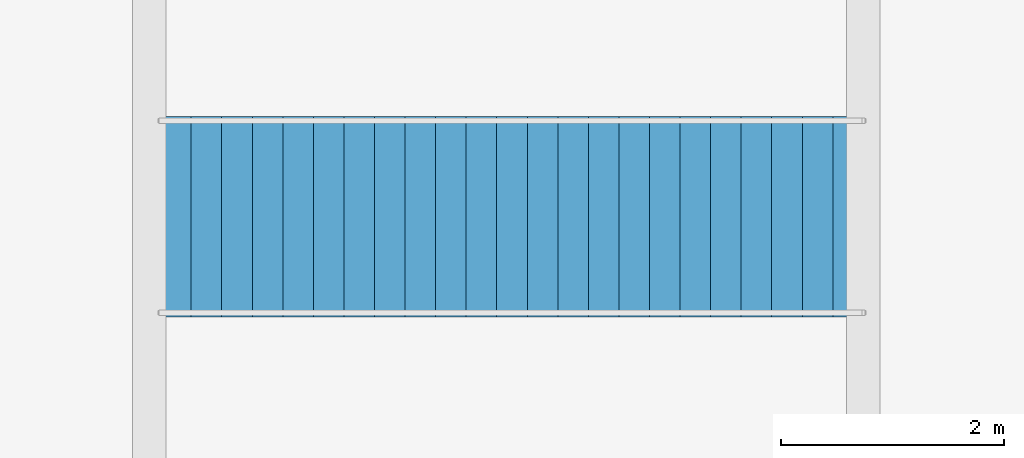
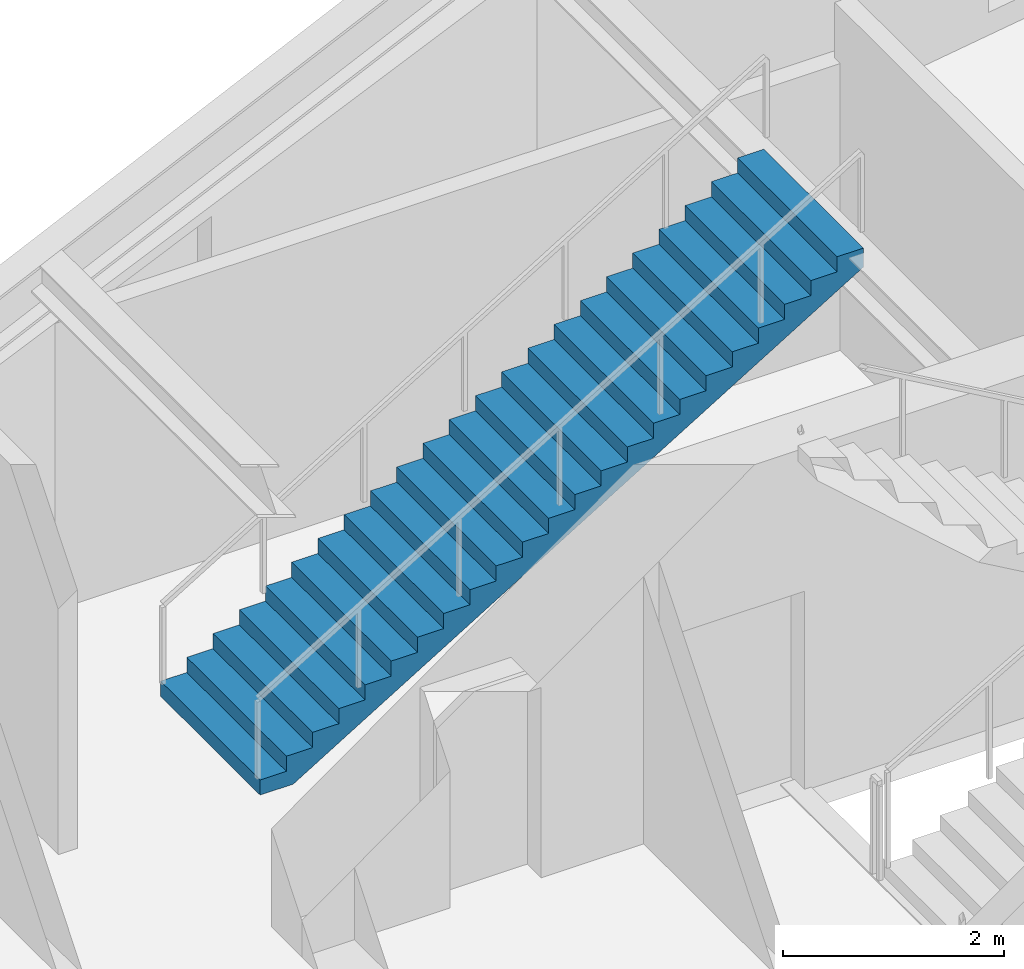
# One storey, part 12 of 14: 1 stair flight, 1 element without a shape of its own.
"""IFC4 building model written with IfcOpenShell, lengths in metres."""

from ifc_helpers import new_model, si_unit, direction, frame, origin, place, context, subcontext, project, spatial, polyline, outline, extrude, material, type_object, element, aggregate, save


model = new_model("IFC4")

# Units and contexts
model_context = context("Model", 3, precision=1e-05, world=origin(), true_north=direction((0.0, 1.0)))
body_context = subcontext(model_context, "Body", "Model", "MODEL_VIEW")
ifc_project = project(units=[si_unit("LENGTHUNIT", "METRE"), si_unit("AREAUNIT", "SQUARE_METRE"), si_unit("VOLUMEUNIT", "CUBIC_METRE"), si_unit("PLANEANGLEUNIT", "RADIAN"), si_unit("MASSUNIT", "GRAM", prefix="KILO")], contexts=[model_context])

# Site, building, storey
site_placement = place(None, origin())
site = spatial("IfcSite", under=ifc_project, at=site_placement, CompositionType="ELEMENT")
building_placement = place(site_placement, origin())
building = spatial("IfcBuilding", under=site, at=building_placement, Name="Olszyna Solenne Hotel", CompositionType="ELEMENT")
storey_placement = place(building_placement, frame((0.0, 0.0, 196.300048828125)))
storey = spatial("IfcBuildingStorey", under=building, at=storey_placement, Name="L52", CompositionType="ELEMENT", Elevation=196.300048828125)

# Stair, stair flight
ifc_material = material(Name="Concrete C40/50", Category="concrete")
stair_type = type_object("IfcStairType", Name="STR-SG1", PredefinedType="STRAIGHT_RUN_STAIR", material=ifc_material)
stair_placement = place(storey_placement, origin())
stair = element("IfcStair", 1, at=stair_placement, inside=storey, type_object=stair_type, Name="Feature straight architectural stair FS-04", PredefinedType="STRAIGHT_RUN_STAIR")
stair_flight_type = type_object("IfcStairFlightType", Name="FLT-SG1", PredefinedType="STRAIGHT", material=ifc_material)
stair_flight_placement = place(storey_placement, frame((30.500244140625, 37.0, 0.0), z_axis=(0.0, 0.0, 1.0), x_axis=(1.0, 0.0, 0.0)))
stair_flight = element("IfcStairFlight", 2, at=stair_flight_placement, type_object=stair_flight_type, Name="Feature stair flight FS-04-FL1", NumberOfRisers=24, NumberOfTreads=23, PredefinedType="STRAIGHT", RiserHeight=0.166667, TreadLength=0.2739, context=body_context, shape_type="SweptSolid", body=[
    extrude(outline(polyline([(0.0, 0.0), (0.0, 0.166748046875), (0.27392578125, 0.166748046875), (0.27392578125, 0.333251953125), (0.5478515625, 0.333251953125), (0.5478515625, 0.5), (0.82177734375, 0.5), (0.82177734375, 0.666748046875), (1.095703125, 0.666748046875), (1.095703125, 0.833251953125), (1.369384765625, 0.833251953125), (1.369384765625, 1.0), (1.643310546875, 1.0), (1.643310546875, 1.166748046875), (1.917236328125, 1.166748046875), (1.917236328125, 1.333251953125), (2.191162109375, 1.333251953125), (2.191162109375, 1.5), (2.465087890625, 1.5), (2.465087890625, 1.666748046875), (2.739013671875, 1.666748046875), (2.739013671875, 1.833251953125), (3.012939453125, 1.833251953125), (3.012939453125, 2.0), (3.286865234375, 2.0), (3.286865234375, 2.166748046875), (3.560791015625, 2.166748046875), (3.560791015625, 2.333251953125), (3.834716796875, 2.333251953125), (3.834716796875, 2.5), (4.1083984375, 2.5), (4.1083984375, 2.666748046875), (4.38232421875, 2.666748046875), (4.38232421875, 2.833251953125), (4.65625, 2.833251953125), (4.65625, 3.0), (4.93017578125, 3.0), (4.93017578125, 3.166748046875), (5.2041015625, 3.166748046875), (5.2041015625, 3.333251953125), (5.47802734375, 3.333251953125), (5.47802734375, 3.5), (5.751953125, 3.5), (5.751953125, 3.666748046875), (6.02587890625, 3.666748046875), (6.02587890625, 3.833251953125), (6.2998046875, 3.833251953125), (6.2998046875, 4.0), (6.2998046875, 3.622802734375), (0.34619140625, 0.0), (0.0, 0.0)])), frame((0.0, 0.89990234375, 0.0), z_axis=(0.0, -1.0, 0.0), x_axis=(1.0, 0.0, 0.0)), (0.0, 0.0, 1.0), 1.800048828125),
])
aggregate(stair, [stair_flight])

save(model, "model.ifc")
